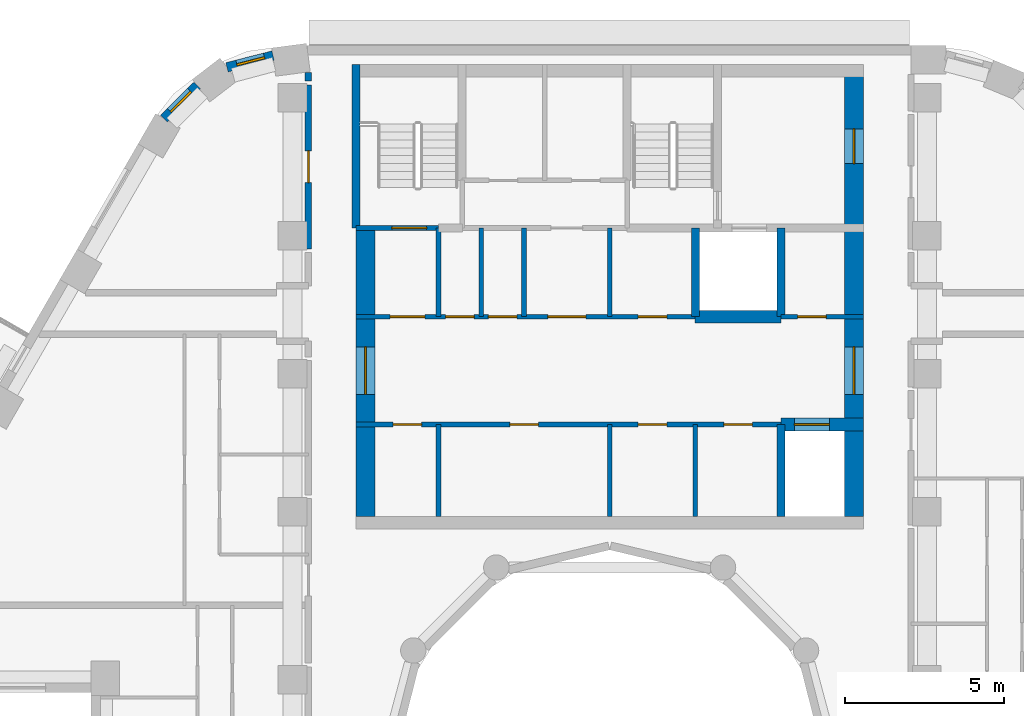
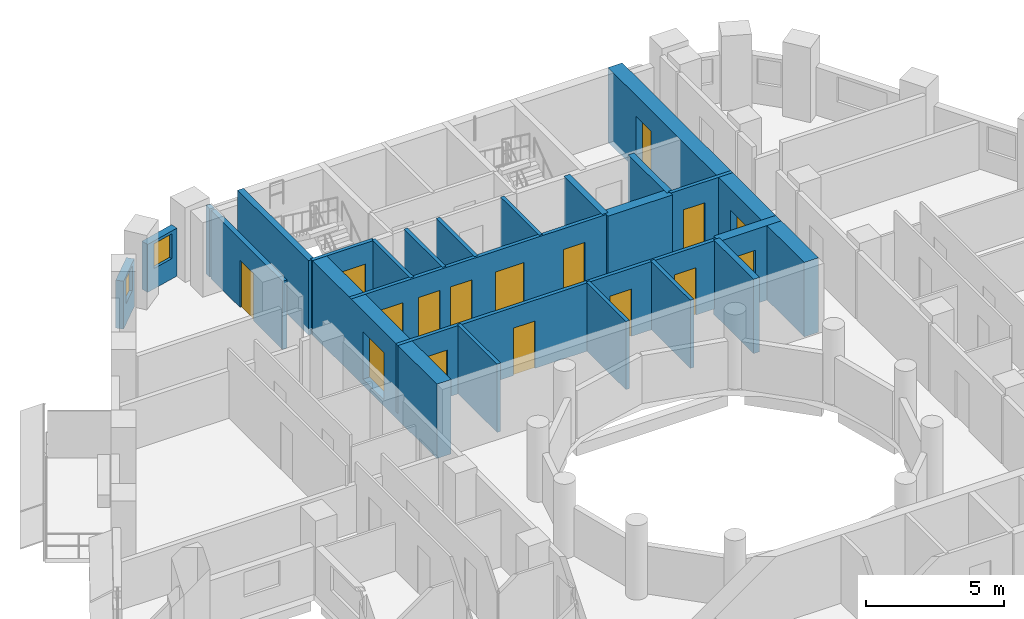
# One storey, part 7 of 13: 23 walls, 16 doors, 2 windows, 18 openings.
"""IFC4 building model written with IfcOpenShell, lengths in metres."""

from ifc_helpers import new_model, si_unit, direction, frame, frame_2d, origin, place, context, subcontext, project, spatial, rectangle, extrude, material, layer, layer_set, type_object, element, fill, save


model = new_model("IFC4")

# Units and contexts
model_context = context("Model", 3, precision=1e-05, world=origin(), true_north=direction((0.0, 1.0)))
body_context = subcontext(model_context, "Body", "Model", "MODEL_VIEW")
ifc_project = project(units=[si_unit("LENGTHUNIT", "METRE"), si_unit("AREAUNIT", "SQUARE_METRE"), si_unit("VOLUMEUNIT", "CUBIC_METRE"), si_unit("PLANEANGLEUNIT", "RADIAN"), si_unit("MASSUNIT", "GRAM", prefix="KILO")], contexts=[model_context])

# Site, building, storey
site_placement = place(None, origin())
site = spatial("IfcSite", under=ifc_project, at=site_placement, CompositionType="ELEMENT")
building_placement = place(site_placement, origin())
building = spatial("IfcBuilding", under=site, at=building_placement, Name="Nakaniwa Court", CompositionType="ELEMENT")
storey_placement = place(building_placement, frame((0.0, 0.0, 269.10009765625)))
storey = spatial("IfcBuildingStorey", under=building, at=storey_placement, Name="L71", CompositionType="ELEMENT", Elevation=269.10009765625)

# Wall, opening, door
ifc_material_1 = material(Name="Acoustic double stud partition")
ifc_layer_1 = layer(ifc_material_1, 0.199951171875)
ifc_layer_set_1 = layer_set([ifc_layer_1], Name="Acoustic double stud partition")
wall_type_1 = type_object("IfcWallType", Name="Acoustic double stud partition 200", PredefinedType="PARTITIONING", material=ifc_layer_set_1)
wall_1_placement = place(storey_placement, frame((70.5, 96.237060546875, 0.0), z_axis=(0.0, 0.0, 1.0), x_axis=(0.0, 1.0, 0.0)))
wall_1 = element("IfcWall", 1, at=wall_1_placement, inside=storey, type_object=wall_type_1, Name="Partition PW-094", PredefinedType="PARTITIONING", context=body_context, shape_type="SweptSolid", body=[
    extrude(rectangle(XDim=5.176025390625, YDim=0.199951171875, at=frame_2d((2.587890625, 0.0))), origin(), (0.0, 0.0, 1.0), 3.02490234375),
])
opening_1_placement = place(wall_1_placement, frame((2.087890625, 0.0, 0.0)))
opening_1 = element("IfcOpeningElement", 2, at=opening_1_placement, cuts=wall_1, Name="Opening D-02-06", PredefinedType="OPENING", context=body_context, shape_type="SweptSolid", body=[
    extrude(rectangle(XDim=1.0, YDim=2.10009765625, at=frame_2d((0.5, 1.050048828125))), frame((0.0, 0.10986328125, 0.0), z_axis=(0.0, -1.0, 0.0), x_axis=(1.0, 0.0, 0.0)), (0.0, 0.0, 1.0), 0.219970703125),
])
ifc_material_2 = material(Name="Solid core timber door set, black veneer", Category="wood")
door_type_1 = type_object("IfcDoorType", Name="Internal door 1000", OperationType="NOTDEFINED", PredefinedType="DOOR", material=ifc_material_2)
door_1_placement = place(opening_1_placement, origin())
door_1 = element("IfcDoor", 3, at=door_1_placement, inside=storey, type_object=door_type_1, Name="Door D-02-06 L71-058", OperationType="SINGLE_SWING_LEFT", OverallHeight=2.10009765625, OverallWidth=1.0, PredefinedType="DOOR", context=body_context, shape_type="SweptSolid", body=[
    extrude(rectangle(XDim=1.0, YDim=2.10009765625, at=frame_2d((0.5, 1.050048828125))), frame((0.0, 0.02490234375, 0.0), z_axis=(0.0, -1.0, 0.0), x_axis=(1.0, 0.0, 0.0)), (0.0, 0.0, 1.0), 0.050048828125),
])
fill(opening_1, door_1)

# Wall
wall_2_placement = place(storey_placement, frame((70.5, 101.527099609375, 0.0), z_axis=(0.0, 0.0, 1.0), x_axis=(0.0, 1.0, 0.0)))
element("IfcWall", 4, at=wall_2_placement, inside=storey, type_object=wall_type_1, Name="Partition PW-095", PredefinedType="PARTITIONING", context=body_context, shape_type="SweptSolid", body=[
    extrude(rectangle(XDim=0.273681640625, YDim=0.199951171875, at=frame_2d((0.13671875, 0.0))), origin(), (0.0, 0.0, 1.0), 3.02490234375),
])

# Wall, opening, window
ifc_material_3 = material(Name="Charcoal ceramic cladding")
ifc_layer_2 = layer(ifc_material_3, 0.02, Name="Ceramic cladding")
ifc_material_4 = material(Name="Ventilated air cavity")
ifc_layer_3 = layer(ifc_material_4, 0.04, ventilated=True, Name="Ventilated cavity")
ifc_material_5 = material(Name="Mineral wool insulation")
ifc_layer_4 = layer(ifc_material_5, 0.1, Name="Insulation")
ifc_material_6 = material(Name="Cement bonded sheathing board")
ifc_layer_5 = layer(ifc_material_6, 0.012, Name="Sheathing")
ifc_material_7 = material(Name="Cold-formed galvanised stud frame with mineral wool infill")
ifc_layer_6 = layer(ifc_material_7, 0.1, Name="Stud frame")
ifc_material_8 = material(Name="Fire-rated gypsum plasterboard lining")
ifc_layer_7 = layer(ifc_material_8, 0.028, Name="Lining")
ifc_layer_set_2 = layer_set([ifc_layer_2, ifc_layer_3, ifc_layer_4, ifc_layer_5, ifc_layer_6, ifc_layer_7], Name="Charcoal ceramic faced external wall system")
wall_type_2 = type_object("IfcWallType", Name="Black ceramic faced external wall 300", PredefinedType="SOLIDWALL", material=ifc_layer_set_2)
wall_3_placement = place(storey_placement, frame((69.386474609375, 102.333251953125, 0.0), z_axis=(0.0, 0.0, 1.0), x_axis=(-0.968895303033, -0.247470991757, 0.0)))
wall_3 = element("IfcWall", 5, at=wall_3_placement, inside=storey, type_object=wall_type_2, Name="L71 external wall 09", PredefinedType="SOLIDWALL", context=body_context, shape_type="SweptSolid", body=[
    extrude(rectangle(XDim=1.50048828125, YDim=0.300048828125, at=frame_2d((0.750244140625, 0.0))), origin(), (0.0, 0.0, 1.0), 2.125),
])
opening_2_placement = place(wall_3_placement, frame((0.27587890625, 0.0, 0.89990234375)))
opening_2 = element("IfcOpeningElement", 6, at=opening_2_placement, cuts=wall_3, Name="Opening W9.10", PredefinedType="OPENING", context=body_context, shape_type="SweptSolid", body=[
    extrude(rectangle(XDim=0.89990234375, YDim=1.10009765625, at=frame_2d((0.449951171875, 0.550048828125))), frame((0.0, 0.159912109375, 0.0), z_axis=(0.0, -1.0, 0.0), x_axis=(1.0, 0.0, 0.0)), (0.0, 0.0, 1.0), 0.320068359375),
])
ifc_material_9 = material(Name="Black anodised aluminium frame with dark low-E laminated double glazing", Category="aluminium")
window_type = type_object("IfcWindowType", Name="Dark glass window 900x1100 sill 900", PartitioningType="SINGLE_PANEL", PredefinedType="WINDOW", material=ifc_material_9)
window_1_placement = place(opening_2_placement, origin())
window_1 = element("IfcWindow", 7, at=window_1_placement, inside=storey, type_object=window_type, Name="L71 habitable room window 09-0", OverallHeight=1.10009765625, OverallWidth=0.89990234375, PartitioningType="SINGLE_PANEL", PredefinedType="WINDOW", context=body_context, shape_type="SweptSolid", body=[
    extrude(rectangle(XDim=0.89990234375, YDim=1.10009765625, at=frame_2d((0.449951171875, 0.550048828125))), frame((0.0, 0.030029296875, 0.0), z_axis=(0.0, -1.0, 0.0), x_axis=(1.0, 0.0, 0.0)), (0.0, 0.0, 1.0), 0.06005859375),
])
fill(opening_2, window_1)

wall_4_placement = place(storey_placement, frame((66.99560546875, 101.388427734375, 0.0), z_axis=(0.0, 0.0, 1.0), x_axis=(-0.708589353117, -0.705621094249, 0.0)))
wall_4 = element("IfcWall", 8, at=wall_4_placement, inside=storey, type_object=wall_type_2, Name="L71 external wall 10", PredefinedType="SOLIDWALL", context=body_context, shape_type="SweptSolid", body=[
    extrude(rectangle(XDim=1.48046875, YDim=0.300048828125, at=frame_2d((0.740234375, 0.0))), origin(), (0.0, 0.0, 1.0), 2.125),
])
opening_3_placement = place(wall_4_placement, frame((0.27978515625, 0.0, 0.89990234375)))
opening_3 = element("IfcOpeningElement", 9, at=opening_3_placement, cuts=wall_4, Name="Opening W9.11", PredefinedType="OPENING", context=body_context, shape_type="SweptSolid", body=[
    extrude(rectangle(XDim=0.89990234375, YDim=1.10009765625, at=frame_2d((0.449951171875, 0.550048828125))), frame((0.0, 0.159912109375, 0.0), z_axis=(0.0, -1.0, 0.0), x_axis=(1.0, 0.0, 0.0)), (0.0, 0.0, 1.0), 0.320068359375),
])
window_2_placement = place(opening_3_placement, origin())
window_2 = element("IfcWindow", 10, at=window_2_placement, inside=storey, type_object=window_type, Name="L71 habitable room window 10-0", OverallHeight=1.10009765625, OverallWidth=0.89990234375, PartitioningType="SINGLE_PANEL", PredefinedType="WINDOW", context=body_context, shape_type="SweptSolid", body=[
    extrude(rectangle(XDim=0.89990234375, YDim=1.10009765625, at=frame_2d((0.449951171875, 0.550048828125))), frame((0.0, 0.030029296875, 0.0), z_axis=(0.0, -1.0, 0.0), x_axis=(1.0, 0.0, 0.0)), (0.0, 0.0, 1.0), 0.06005859375),
])
fill(opening_3, window_2)

# Walls
ifc_material_10 = material(Name="Blockwork partition", Category="masonry")
ifc_layer_8 = layer(ifc_material_10, 0.14990234375)
ifc_layer_set_3 = layer_set([ifc_layer_8], Name="Blockwork partition")
wall_type_3 = type_object("IfcWallType", Name="Blockwork partition 150", PredefinedType="PARTITIONING", material=ifc_layer_set_3)
wall_5_placement = place(storey_placement, frame((74.60009765625, 87.800048828125, 0.0), z_axis=(0.0, 0.0, 1.0), x_axis=(0.0, 1.0, 0.0)))
element("IfcWall", 11, at=wall_5_placement, inside=storey, type_object=wall_type_3, Name="Partition PW-001", PredefinedType="PARTITIONING", context=body_context, shape_type="SweptSolid", body=[
    extrude(rectangle(XDim=2.89990234375, YDim=0.14990234375, at=frame_2d((1.449951171875, 0.0))), origin(), (0.0, 0.0, 1.0), 3.02490234375),
])
wall_6_placement = place(storey_placement, frame((74.60009765625, 94.10009765625, 0.0), z_axis=(0.0, 0.0, 1.0), x_axis=(0.0, 1.0, 0.0)))
element("IfcWall", 12, at=wall_6_placement, inside=storey, type_object=wall_type_3, Name="Partition PW-002", PredefinedType="PARTITIONING", context=body_context, shape_type="SweptSolid", body=[
    extrude(rectangle(XDim=2.7998046875, YDim=0.14990234375, at=frame_2d((1.39990234375, 0.0))), origin(), (0.0, 0.0, 1.0), 3.02490234375),
])

# Wall, openings, doors
wall_7_placement = place(storey_placement, frame((85.39990234375, 90.699951171875, 0.0), z_axis=(0.0, 0.0, 1.0), x_axis=(-1.0, 0.0, 0.0)))
wall_7 = element("IfcWall", 13, at=wall_7_placement, inside=storey, type_object=wall_type_3, Name="Partition PW-003", PredefinedType="PARTITIONING", context=body_context, shape_type="SweptSolid", body=[
    extrude(rectangle(XDim=13.39990234375, YDim=0.14990234375, at=frame_2d((6.699951171875, 0.0))), origin(), (0.0, 0.0, 1.0), 3.02490234375),
])
opening_4_placement = place(wall_7_placement, frame((11.324951171875, 0.0, 0.0)))
opening_4 = element("IfcOpeningElement", 14, at=opening_4_placement, cuts=wall_7, Name="Opening D-05-01", PredefinedType="OPENING", context=body_context, shape_type="SweptSolid", body=[
    extrude(rectangle(XDim=0.89990234375, YDim=2.10009765625, at=frame_2d((0.449951171875, 1.050048828125))), frame((0.0, 0.0849609375, 0.0), z_axis=(0.0, -1.0, 0.0), x_axis=(1.0, 0.0, 0.0)), (0.0, 0.0, 1.0), 0.169921875),
])
opening_5_placement = place(wall_7_placement, frame((7.64990234375, 0.0, 0.0)))
opening_5 = element("IfcOpeningElement", 15, at=opening_5_placement, cuts=wall_7, Name="Opening D-05-02", PredefinedType="OPENING", context=body_context, shape_type="SweptSolid", body=[
    extrude(rectangle(XDim=0.89990234375, YDim=2.10009765625, at=frame_2d((0.449951171875, 1.050048828125))), frame((0.0, 0.0849609375, 0.0), z_axis=(0.0, -1.0, 0.0), x_axis=(1.0, 0.0, 0.0)), (0.0, 0.0, 1.0), 0.169921875),
])
opening_6_placement = place(wall_7_placement, frame((3.60009765625, 0.0, 0.0)))
opening_6 = element("IfcOpeningElement", 16, at=opening_6_placement, cuts=wall_7, Name="Opening D-05-03", PredefinedType="OPENING", context=body_context, shape_type="SweptSolid", body=[
    extrude(rectangle(XDim=0.89990234375, YDim=2.10009765625, at=frame_2d((0.449951171875, 1.050048828125))), frame((0.0, 0.0849609375, 0.0), z_axis=(0.0, -1.0, 0.0), x_axis=(1.0, 0.0, 0.0)), (0.0, 0.0, 1.0), 0.169921875),
])
opening_7_placement = place(wall_7_placement, frame((0.89990234375, 0.0, 0.0)))
opening_7 = element("IfcOpeningElement", 17, at=opening_7_placement, cuts=wall_7, Name="Opening D-05-04", PredefinedType="OPENING", context=body_context, shape_type="SweptSolid", body=[
    extrude(rectangle(XDim=0.89990234375, YDim=2.10009765625, at=frame_2d((0.449951171875, 1.050048828125))), frame((0.0, 0.0849609375, 0.0), z_axis=(0.0, -1.0, 0.0), x_axis=(1.0, 0.0, 0.0)), (0.0, 0.0, 1.0), 0.169921875),
])
ifc_material_11 = material(Name="Fire rated steel door set", Category="steel")
door_type_2 = type_object("IfcDoorType", Name="Service room door 900", OperationType="NOTDEFINED", PredefinedType="DOOR", material=ifc_material_11)
door_2_placement = place(opening_4_placement, origin())
door_2 = element("IfcDoor", 18, at=door_2_placement, inside=storey, type_object=door_type_2, Name="Door D-05-01 L71-001", OperationType="SINGLE_SWING_RIGHT", OverallHeight=2.10009765625, OverallWidth=0.89990234375, PredefinedType="DOOR", context=body_context, shape_type="SweptSolid", body=[
    extrude(rectangle(XDim=0.89990234375, YDim=2.10009765625, at=frame_2d((0.449951171875, 1.050048828125))), frame((0.0, 0.02490234375, 0.0), z_axis=(0.0, -1.0, 0.0), x_axis=(1.0, 0.0, 0.0)), (0.0, 0.0, 1.0), 0.050048828125),
])
fill(opening_4, door_2)
door_3_placement = place(opening_5_placement, origin())
door_3 = element("IfcDoor", 19, at=door_3_placement, inside=storey, type_object=door_type_2, Name="Door D-05-02 L71-002", OperationType="SINGLE_SWING_LEFT", OverallHeight=2.10009765625, OverallWidth=0.89990234375, PredefinedType="DOOR", context=body_context, shape_type="SweptSolid", body=[
    extrude(rectangle(XDim=0.89990234375, YDim=2.10009765625, at=frame_2d((0.449951171875, 1.050048828125))), frame((0.0, 0.02490234375, 0.0), z_axis=(0.0, -1.0, 0.0), x_axis=(1.0, 0.0, 0.0)), (0.0, 0.0, 1.0), 0.050048828125),
])
fill(opening_5, door_3)
door_4_placement = place(opening_6_placement, origin())
door_4 = element("IfcDoor", 20, at=door_4_placement, inside=storey, type_object=door_type_2, Name="Door D-05-03 L71-003", OperationType="SINGLE_SWING_RIGHT", OverallHeight=2.10009765625, OverallWidth=0.89990234375, PredefinedType="DOOR", context=body_context, shape_type="SweptSolid", body=[
    extrude(rectangle(XDim=0.89990234375, YDim=2.10009765625, at=frame_2d((0.449951171875, 1.050048828125))), frame((0.0, 0.02490234375, 0.0), z_axis=(0.0, -1.0, 0.0), x_axis=(1.0, 0.0, 0.0)), (0.0, 0.0, 1.0), 0.050048828125),
])
fill(opening_6, door_4)
door_5_placement = place(opening_7_placement, origin())
door_5 = element("IfcDoor", 21, at=door_5_placement, inside=storey, type_object=door_type_2, Name="Door D-05-04 L71-004", OperationType="SINGLE_SWING_LEFT", OverallHeight=2.10009765625, OverallWidth=0.89990234375, PredefinedType="DOOR", context=body_context, shape_type="SweptSolid", body=[
    extrude(rectangle(XDim=0.89990234375, YDim=2.10009765625, at=frame_2d((0.449951171875, 1.050048828125))), frame((0.0, 0.02490234375, 0.0), z_axis=(0.0, -1.0, 0.0), x_axis=(1.0, 0.0, 0.0)), (0.0, 0.0, 1.0), 0.050048828125),
])
fill(opening_7, door_5)

# Walls
wall_8_placement = place(storey_placement, frame((80.0, 87.800048828125, 0.0), z_axis=(0.0, 0.0, 1.0), x_axis=(0.0, 1.0, 0.0)))
element("IfcWall", 22, at=wall_8_placement, inside=storey, type_object=wall_type_3, Name="Partition PW-009", PredefinedType="PARTITIONING", context=body_context, shape_type="SweptSolid", body=[
    extrude(rectangle(XDim=2.89990234375, YDim=0.14990234375, at=frame_2d((1.449951171875, 0.0))), origin(), (0.0, 0.0, 1.0), 3.02490234375),
])
wall_9_placement = place(storey_placement, frame((80.0, 94.10009765625, 0.0), z_axis=(0.0, 0.0, 1.0), x_axis=(0.0, 1.0, 0.0)))
element("IfcWall", 23, at=wall_9_placement, inside=storey, type_object=wall_type_3, Name="Partition PW-010", PredefinedType="PARTITIONING", context=body_context, shape_type="SweptSolid", body=[
    extrude(rectangle(XDim=2.7998046875, YDim=0.14990234375, at=frame_2d((1.39990234375, 0.0))), origin(), (0.0, 0.0, 1.0), 3.02490234375),
])
wall_10_placement = place(storey_placement, frame((82.699951171875, 87.800048828125, 0.0), z_axis=(0.0, 0.0, 1.0), x_axis=(0.0, 1.0, 0.0)))
element("IfcWall", 24, at=wall_10_placement, inside=storey, type_object=wall_type_3, Name="Partition PW-011", PredefinedType="PARTITIONING", context=body_context, shape_type="SweptSolid", body=[
    extrude(rectangle(XDim=2.89990234375, YDim=0.14990234375, at=frame_2d((1.449951171875, 0.0))), origin(), (0.0, 0.0, 1.0), 3.02490234375),
])

# Wall, openings, doors
wall_11_placement = place(storey_placement, frame((72.0, 94.10009765625, 0.0), z_axis=(0.0, 0.0, 1.0), x_axis=(1.0, 0.0, 0.0)))
wall_11 = element("IfcWall", 25, at=wall_11_placement, inside=storey, type_object=wall_type_3, Name="Partition PW-012", PredefinedType="PARTITIONING", context=body_context, shape_type="SweptSolid", body=[
    extrude(rectangle(XDim=10.702880859375, YDim=0.14990234375, at=frame_2d((5.3515625, 0.0))), origin(), (0.0, 0.0, 1.0), 3.02490234375),
])
opening_8_placement = place(wall_11_placement, frame((1.074951171875, 0.0, 0.0)))
opening_8 = element("IfcOpeningElement", 26, at=opening_8_placement, cuts=wall_11, Name="Opening D-08-01", PredefinedType="OPENING", context=body_context, shape_type="SweptSolid", body=[
    extrude(rectangle(XDim=1.10009765625, YDim=2.10009765625, at=frame_2d((0.550048828125, 1.050048828125))), frame((0.0, 0.0849609375, 0.0), z_axis=(0.0, -1.0, 0.0), x_axis=(1.0, 0.0, 0.0)), (0.0, 0.0, 1.0), 0.169921875),
])
opening_9_placement = place(wall_11_placement, frame((2.824951171875, 0.0, 0.0)))
opening_9 = element("IfcOpeningElement", 27, at=opening_9_placement, cuts=wall_11, Name="Opening D-05-05", PredefinedType="OPENING", context=body_context, shape_type="SweptSolid", body=[
    extrude(rectangle(XDim=0.89990234375, YDim=2.10009765625, at=frame_2d((0.449951171875, 1.050048828125))), frame((0.0, 0.0849609375, 0.0), z_axis=(0.0, -1.0, 0.0), x_axis=(1.0, 0.0, 0.0)), (0.0, 0.0, 1.0), 0.169921875),
])
opening_10_placement = place(wall_11_placement, frame((4.175048828125, 0.0, 0.0)))
opening_10 = element("IfcOpeningElement", 28, at=opening_10_placement, cuts=wall_11, Name="Opening D-05-06", PredefinedType="OPENING", context=body_context, shape_type="SweptSolid", body=[
    extrude(rectangle(XDim=0.89990234375, YDim=2.10009765625, at=frame_2d((0.449951171875, 1.050048828125))), frame((0.0, 0.0849609375, 0.0), z_axis=(0.0, -1.0, 0.0), x_axis=(1.0, 0.0, 0.0)), (0.0, 0.0, 1.0), 0.169921875),
])
opening_11_placement = place(wall_11_placement, frame((6.050048828125, 0.0, 0.0)))
opening_11 = element("IfcOpeningElement", 29, at=opening_11_placement, cuts=wall_11, Name="Opening D-06-01", PredefinedType="OPENING", context=body_context, shape_type="SweptSolid", body=[
    extrude(rectangle(XDim=1.199951171875, YDim=2.10009765625, at=frame_2d((0.60009765625, 1.050048828125))), frame((0.0, 0.0849609375, 0.0), z_axis=(0.0, -1.0, 0.0), x_axis=(1.0, 0.0, 0.0)), (0.0, 0.0, 1.0), 0.169921875),
])
opening_12_placement = place(wall_11_placement, frame((8.89990234375, 0.0, 0.0)))
opening_12 = element("IfcOpeningElement", 30, at=opening_12_placement, cuts=wall_11, Name="Opening D-05-07", PredefinedType="OPENING", context=body_context, shape_type="SweptSolid", body=[
    extrude(rectangle(XDim=0.89990234375, YDim=2.10009765625, at=frame_2d((0.449951171875, 1.050048828125))), frame((0.0, 0.0849609375, 0.0), z_axis=(0.0, -1.0, 0.0), x_axis=(1.0, 0.0, 0.0)), (0.0, 0.0, 1.0), 0.169921875),
])
ifc_material_12 = material(Name="Fire rated steel double door set", Category="steel")
door_type_3 = type_object("IfcDoorType", Name="Service passage double door 1200", OperationType="NOTDEFINED", PredefinedType="DOOR", material=ifc_material_12)
door_6_placement = place(opening_11_placement, origin())
door_6 = element("IfcDoor", 31, at=door_6_placement, inside=storey, type_object=door_type_3, Name="Door D-06-01 L71-008", OperationType="DOUBLE_DOOR_SINGLE_SWING", OverallHeight=2.10009765625, OverallWidth=1.199951171875, PredefinedType="DOOR", context=body_context, shape_type="SweptSolid", body=[
    extrude(rectangle(XDim=1.199951171875, YDim=2.10009765625, at=frame_2d((0.60009765625, 1.050048828125))), frame((0.0, 0.02490234375, 0.0), z_axis=(0.0, -1.0, 0.0), x_axis=(1.0, 0.0, 0.0)), (0.0, 0.0, 1.0), 0.050048828125),
])
fill(opening_11, door_6)
door_7_placement = place(opening_9_placement, origin())
door_7 = element("IfcDoor", 32, at=door_7_placement, inside=storey, type_object=door_type_2, Name="Door D-05-05 L71-006", OperationType="SINGLE_SWING_LEFT", OverallHeight=2.10009765625, OverallWidth=0.89990234375, PredefinedType="DOOR", context=body_context, shape_type="SweptSolid", body=[
    extrude(rectangle(XDim=0.89990234375, YDim=2.10009765625, at=frame_2d((0.449951171875, 1.050048828125))), frame((0.0, 0.02490234375, 0.0), z_axis=(0.0, -1.0, 0.0), x_axis=(1.0, 0.0, 0.0)), (0.0, 0.0, 1.0), 0.050048828125),
])
fill(opening_9, door_7)
door_8_placement = place(opening_10_placement, origin())
door_8 = element("IfcDoor", 33, at=door_8_placement, inside=storey, type_object=door_type_2, Name="Door D-05-06 L71-007", OperationType="SINGLE_SWING_RIGHT", OverallHeight=2.10009765625, OverallWidth=0.89990234375, PredefinedType="DOOR", context=body_context, shape_type="SweptSolid", body=[
    extrude(rectangle(XDim=0.89990234375, YDim=2.10009765625, at=frame_2d((0.449951171875, 1.050048828125))), frame((0.0, 0.02490234375, 0.0), z_axis=(0.0, -1.0, 0.0), x_axis=(1.0, 0.0, 0.0)), (0.0, 0.0, 1.0), 0.050048828125),
])
fill(opening_10, door_8)
door_9_placement = place(opening_12_placement, origin())
door_9 = element("IfcDoor", 34, at=door_9_placement, inside=storey, type_object=door_type_2, Name="Door D-05-07 L71-009", OperationType="SINGLE_SWING_RIGHT", OverallHeight=2.10009765625, OverallWidth=0.89990234375, PredefinedType="DOOR", context=body_context, shape_type="SweptSolid", body=[
    extrude(rectangle(XDim=0.89990234375, YDim=2.10009765625, at=frame_2d((0.449951171875, 1.050048828125))), frame((0.0, 0.02490234375, 0.0), z_axis=(0.0, -1.0, 0.0), x_axis=(1.0, 0.0, 0.0)), (0.0, 0.0, 1.0), 0.050048828125),
])
fill(opening_12, door_9)
door_type_4 = type_object("IfcDoorType", Name="Stair lobby door 1100", OperationType="NOTDEFINED", PredefinedType="DOOR", material=ifc_material_11)
door_10_placement = place(opening_8_placement, origin())
door_10 = element("IfcDoor", 35, at=door_10_placement, inside=storey, type_object=door_type_4, Name="Door D-08-01 L71-005", OperationType="SINGLE_SWING_RIGHT", OverallHeight=2.10009765625, OverallWidth=1.10009765625, PredefinedType="DOOR", context=body_context, shape_type="SweptSolid", body=[
    extrude(rectangle(XDim=1.10009765625, YDim=2.10009765625, at=frame_2d((0.550048828125, 1.050048828125))), frame((0.0, 0.02490234375, 0.0), z_axis=(0.0, -1.0, 0.0), x_axis=(1.0, 0.0, 0.0)), (0.0, 0.0, 1.0), 0.050048828125),
])
fill(opening_8, door_10)

# Wall, opening, door
wall_12_placement = place(storey_placement, frame((85.39697265625, 94.10009765625, 0.0), z_axis=(0.0, 0.0, 1.0), x_axis=(1.0, 0.0, 0.0)))
wall_12 = element("IfcWall", 36, at=wall_12_placement, inside=storey, type_object=wall_type_3, Name="Partition PW-013", PredefinedType="PARTITIONING", context=body_context, shape_type="SweptSolid", body=[
    extrude(rectangle(XDim=2.60302734375, YDim=0.14990234375, at=frame_2d((1.301513671875, 0.0))), origin(), (0.0, 0.0, 1.0), 3.02490234375),
])
opening_13_placement = place(wall_12_placement, frame((0.528076171875, 0.0, 0.0)))
opening_13 = element("IfcOpeningElement", 37, at=opening_13_placement, cuts=wall_12, Name="Opening D-05-08", PredefinedType="OPENING", context=body_context, shape_type="SweptSolid", body=[
    extrude(rectangle(XDim=0.89990234375, YDim=2.10009765625, at=frame_2d((0.449951171875, 1.050048828125))), frame((0.0, 0.0849609375, 0.0), z_axis=(0.0, -1.0, 0.0), x_axis=(1.0, 0.0, 0.0)), (0.0, 0.0, 1.0), 0.169921875),
])
door_11_placement = place(opening_13_placement, origin())
door_11 = element("IfcDoor", 38, at=door_11_placement, inside=storey, type_object=door_type_2, Name="Door D-05-08 L71-010", OperationType="SINGLE_SWING_LEFT", OverallHeight=2.10009765625, OverallWidth=0.89990234375, PredefinedType="DOOR", context=body_context, shape_type="SweptSolid", body=[
    extrude(rectangle(XDim=0.89990234375, YDim=2.10009765625, at=frame_2d((0.449951171875, 1.050048828125))), frame((0.0, 0.02490234375, 0.0), z_axis=(0.0, -1.0, 0.0), x_axis=(1.0, 0.0, 0.0)), (0.0, 0.0, 1.0), 0.050048828125),
])
fill(opening_13, door_11)

# Walls
for number, where, z_axis, x_axis, name in (
    (39, (75.949951171875, 94.10009765625, 0.0), (0.0, 0.0, 1.0), (0.0, 1.0, 0.0), "Partition PW-016"),
    (40, (77.300048828125, 94.10009765625, 0.0), (0.0, 0.0, 1.0), (0.0, 1.0, 0.0), "Partition PW-020"),
):
    element("IfcWall", number, at=place(storey_placement, frame(where, z_axis=z_axis, x_axis=x_axis)), inside=storey, type_object=wall_type_3, Name=name, PredefinedType="PARTITIONING", context=body_context, shape_type="SweptSolid", body=[
        extrude(rectangle(XDim=2.7998046875, YDim=0.14990234375, at=frame_2d((1.39990234375, 0.0))), origin(), (0.0, 0.0, 1.0), 3.02490234375),
    ])

# Wall, opening, door
ifc_material_13 = material(Name="Concrete C80/100", Category="concrete")
ifc_layer_9 = layer(ifc_material_13, 0.60009765625)
ifc_layer_set_4 = layer_set([ifc_layer_9], Name="Concrete C80/100")
wall_type_4 = type_object("IfcWallType", Name="Concrete core side wall 600 C80", PredefinedType="SHEAR", material=ifc_layer_set_4)
wall_13_placement = place(storey_placement, frame((72.300048828125, 87.800048828125, -0.275146484375), z_axis=(0.0, 0.0, 1.0), x_axis=(0.0, 1.0, 0.0)))
wall_13 = element("IfcWall", 41, at=wall_13_placement, inside=storey, type_object=wall_type_4, Name="Core wall SW-04", PredefinedType="SHEAR", context=body_context, shape_type="SweptSolid", body=[
    extrude(rectangle(XDim=9.099853515625, YDim=0.60009765625, at=frame_2d((4.5498046875, 0.0))), origin(), (0.0, 0.0, 1.0), 3.300048828125),
])
opening_14_placement = place(wall_13_placement, frame((3.85009765625, 0.0, 0.27490234375)))
opening_14 = element("IfcOpeningElement", 42, at=opening_14_placement, cuts=wall_13, Name="Opening D-07-02", PredefinedType="OPENING", context=body_context, shape_type="SweptSolid", body=[
    extrude(rectangle(XDim=1.5, YDim=2.10009765625, at=frame_2d((0.75, 1.050048828125))), frame((0.0, 0.31005859375, 0.0), z_axis=(0.0, -1.0, 0.0), x_axis=(1.0, 0.0, 0.0)), (0.0, 0.0, 1.0), 0.6201171875),
])
ifc_material_14 = material(Name="Glazed fire rated steel double door set", Category="steel")
door_type_5 = type_object("IfcDoorType", Name="Lobby double door 1500", OperationType="NOTDEFINED", PredefinedType="DOOR", material=ifc_material_14)
door_12_placement = place(opening_14_placement, origin())
door_12 = element("IfcDoor", 43, at=door_12_placement, inside=storey, type_object=door_type_5, Name="Door D-07-02 L71-060", OperationType="DOUBLE_DOOR_SINGLE_SWING", OverallHeight=2.10009765625, OverallWidth=1.5, PredefinedType="DOOR", context=body_context, shape_type="SweptSolid", body=[
    extrude(rectangle(XDim=1.5, YDim=2.10009765625, at=frame_2d((0.75, 1.050048828125))), frame((0.0, 0.02490234375, 0.0), z_axis=(0.0, -1.0, 0.0), x_axis=(1.0, 0.0, 0.0)), (0.0, 0.0, 1.0), 0.050048828125),
])
fill(opening_14, door_12)

# Wall, openings, doors
wall_14_placement = place(storey_placement, frame((87.699951171875, 102.050048828125, -0.275146484375), z_axis=(0.0, 0.0, 1.0), x_axis=(0.0, -1.0, 0.0)))
wall_14 = element("IfcWall", 44, at=wall_14_placement, inside=storey, type_object=wall_type_4, Name="Core wall SW-08", PredefinedType="SHEAR", context=body_context, shape_type="SweptSolid", body=[
    extrude(rectangle(XDim=14.25, YDim=0.60009765625, at=frame_2d((7.125, 0.0))), origin(), (0.0, 0.0, 1.0), 3.300048828125),
])
opening_15_placement = place(wall_14_placement, frame((8.89990234375, 0.0, 0.27490234375)))
opening_15 = element("IfcOpeningElement", 45, at=opening_15_placement, cuts=wall_14, Name="Opening D-07-01", PredefinedType="OPENING", context=body_context, shape_type="SweptSolid", body=[
    extrude(rectangle(XDim=1.5, YDim=2.10009765625, at=frame_2d((0.75, 1.050048828125))), frame((0.0, 0.31005859375, 0.0), z_axis=(0.0, -1.0, 0.0), x_axis=(1.0, 0.0, 0.0)), (0.0, 0.0, 1.0), 0.6201171875),
])
opening_16_placement = place(wall_14_placement, frame((2.02490234375, 0.0, 0.27490234375)))
opening_16 = element("IfcOpeningElement", 46, at=opening_16_placement, cuts=wall_14, Name="Opening D-10-01", PredefinedType="OPENING", context=body_context, shape_type="SweptSolid", body=[
    extrude(rectangle(XDim=1.10009765625, YDim=2.10009765625, at=frame_2d((0.550048828125, 1.050048828125))), frame((0.0, 0.31005859375, 0.0), z_axis=(0.0, -1.0, 0.0), x_axis=(1.0, 0.0, 0.0)), (0.0, 0.0, 1.0), 0.6201171875),
])
door_type_6 = type_object("IfcDoorType", Name="Firefighting lobby door 1100", OperationType="NOTDEFINED", PredefinedType="DOOR", material=ifc_material_11)
door_13_placement = place(opening_16_placement, origin())
door_13 = element("IfcDoor", 47, at=door_13_placement, inside=storey, type_object=door_type_6, Name="Door D-10-01 L71-061", OperationType="SINGLE_SWING_RIGHT", OverallHeight=2.10009765625, OverallWidth=1.10009765625, PredefinedType="DOOR", context=body_context, shape_type="SweptSolid", body=[
    extrude(rectangle(XDim=1.10009765625, YDim=2.10009765625, at=frame_2d((0.550048828125, 1.050048828125))), frame((0.0, 0.02490234375, 0.0), z_axis=(0.0, -1.0, 0.0), x_axis=(1.0, 0.0, 0.0)), (0.0, 0.0, 1.0), 0.050048828125),
])
fill(opening_16, door_13)
door_14_placement = place(opening_15_placement, origin())
door_14 = element("IfcDoor", 48, at=door_14_placement, inside=storey, type_object=door_type_5, Name="Door D-07-01 L71-059", OperationType="DOUBLE_DOOR_SINGLE_SWING", OverallHeight=2.10009765625, OverallWidth=1.5, PredefinedType="DOOR", context=body_context, shape_type="SweptSolid", body=[
    extrude(rectangle(XDim=1.5, YDim=2.10009765625, at=frame_2d((0.75, 1.050048828125))), frame((0.0, 0.02490234375, 0.0), z_axis=(0.0, -1.0, 0.0), x_axis=(1.0, 0.0, 0.0)), (0.0, 0.0, 1.0), 0.050048828125),
])
fill(opening_15, door_14)

# Wall, opening, door
ifc_layer_10 = layer(ifc_material_13, 0.39990234375)
ifc_layer_set_5 = layer_set([ifc_layer_10], Name="Concrete C80/100")
wall_type_5 = type_object("IfcWallType", Name="Concrete core spine wall 400 C80", PredefinedType="SHEAR", material=ifc_layer_set_5)
wall_15_placement = place(storey_placement, frame((85.39990234375, 90.699951171875, -0.275146484375), z_axis=(0.0, 0.0, 1.0), x_axis=(1.0, 0.0, 0.0)))
wall_15 = element("IfcWall", 49, at=wall_15_placement, inside=storey, type_object=wall_type_5, Name="Core wall SW-07", PredefinedType="SHEAR", context=body_context, shape_type="SweptSolid", body=[
    extrude(rectangle(XDim=2.60009765625, YDim=0.39990234375, at=frame_2d((1.300048828125, 0.0))), origin(), (0.0, 0.0, 1.0), 3.300048828125),
])
opening_17_placement = place(wall_15_placement, frame((0.425048828125, 0.0, 0.27490234375)))
opening_17 = element("IfcOpeningElement", 50, at=opening_17_placement, cuts=wall_15, Name="Opening LD01", PredefinedType="OPENING", context=body_context, shape_type="SweptSolid", body=[
    extrude(rectangle(XDim=1.10009765625, YDim=2.10009765625, at=frame_2d((0.550048828125, 1.050048828125))), frame((0.0, 0.2099609375, 0.0), z_axis=(0.0, -1.0, 0.0), x_axis=(1.0, 0.0, 0.0)), (0.0, 0.0, 1.0), 0.419921875),
])
ifc_material_15 = material(Name="Stainless steel sliding lift landing door", Category="steel")
door_type_7 = type_object("IfcDoorType", Name="Lift landing door 1100", OperationType="NOTDEFINED", PredefinedType="DOOR", material=ifc_material_15)
door_15_placement = place(opening_17_placement, origin())
door_15 = element("IfcDoor", 51, at=door_15_placement, inside=storey, type_object=door_type_7, Name="Lift landing door LD01 L71-001", OperationType="SLIDING_TO_LEFT", OverallHeight=2.10009765625, OverallWidth=1.10009765625, PredefinedType="DOOR", context=body_context, shape_type="SweptSolid", body=[
    extrude(rectangle(XDim=1.10009765625, YDim=2.10009765625, at=frame_2d((0.550048828125, 1.050048828125))), frame((0.0, 0.02490234375, 0.0), z_axis=(0.0, -1.0, 0.0), x_axis=(1.0, 0.0, 0.0)), (0.0, 0.0, 1.0), 0.050048828125),
])
fill(opening_17, door_15)

# Wall
wall_16_placement = place(storey_placement, frame((82.697021484375, 94.10009765625, -0.275146484375), z_axis=(0.0, 0.0, 1.0), x_axis=(1.0, 0.0, 0.0)))
element("IfcWall", 52, at=wall_16_placement, inside=storey, type_object=wall_type_5, Name="Core wall SW-14", PredefinedType="SHEAR", context=body_context, shape_type="SweptSolid", body=[
    extrude(rectangle(XDim=2.7060546875, YDim=0.39990234375, at=frame_2d((1.35302734375, 0.0))), origin(), (0.0, 0.0, 1.0), 3.300048828125),
])

# Wall, opening, door
ifc_layer_11 = layer(ifc_material_13, 0.14990234375)
ifc_layer_set_6 = layer_set([ifc_layer_11], Name="Concrete C80/100")
wall_type_6 = type_object("IfcWallType", Name="Concrete core wall 150 C80", PredefinedType="SHEAR", material=ifc_layer_set_6)
wall_17_placement = place(storey_placement, frame((74.60009765625, 96.89990234375, -0.275146484375), z_axis=(0.0, 0.0, 1.0), x_axis=(-1.0, 0.0, 0.0)))
wall_17 = element("IfcWall", 53, at=wall_17_placement, inside=storey, type_object=wall_type_6, Name="Core wall SW-15", PredefinedType="SHEAR", context=body_context, shape_type="SweptSolid", body=[
    extrude(rectangle(XDim=2.60009765625, YDim=0.14990234375, at=frame_2d((1.300048828125, 0.0))), origin(), (0.0, 0.0, 1.0), 3.300048828125),
])
opening_18_placement = place(wall_17_placement, frame((0.3701171875, 0.0, 0.27490234375)))
opening_18 = element("IfcOpeningElement", 54, at=opening_18_placement, cuts=wall_17, Name="Opening D-09-01", PredefinedType="OPENING", context=body_context, shape_type="SweptSolid", body=[
    extrude(rectangle(XDim=1.10009765625, YDim=2.10009765625, at=frame_2d((0.550048828125, 1.050048828125))), frame((0.0, 0.0849609375, 0.0), z_axis=(0.0, -1.0, 0.0), x_axis=(1.0, 0.0, 0.0)), (0.0, 0.0, 1.0), 0.169921875),
])
door_type_8 = type_object("IfcDoorType", Name="Stair door 1100", OperationType="NOTDEFINED", PredefinedType="DOOR", material=ifc_material_11)
door_16_placement = place(opening_18_placement, origin())
door_16 = element("IfcDoor", 55, at=door_16_placement, inside=storey, type_object=door_type_8, Name="Door D-09-01 L71-014", OperationType="SINGLE_SWING_RIGHT", OverallHeight=2.10009765625, OverallWidth=1.10009765625, PredefinedType="DOOR", context=body_context, shape_type="SweptSolid", body=[
    extrude(rectangle(XDim=1.10009765625, YDim=2.10009765625, at=frame_2d((0.550048828125, 1.050048828125))), frame((0.0, 0.02490234375, 0.0), z_axis=(0.0, -1.0, 0.0), x_axis=(1.0, 0.0, 0.0)), (0.0, 0.0, 1.0), 0.050048828125),
])
fill(opening_18, door_16)

# Walls
ifc_layer_12 = layer(ifc_material_13, 0.25)
ifc_layer_set_7 = layer_set([ifc_layer_12], Name="Concrete C80/100")
wall_type_7 = type_object("IfcWallType", Name="Concrete core wall 250 C80", PredefinedType="SHEAR", material=ifc_layer_set_7)
wall_18_placement = place(storey_placement, frame((72.0, 96.89990234375, -0.275146484375), z_axis=(0.0, 0.0, 1.0), x_axis=(0.0, 1.0, 0.0)))
element("IfcWall", 56, at=wall_18_placement, inside=storey, type_object=wall_type_7, Name="Core wall SW-24", PredefinedType="SHEAR", context=body_context, shape_type="SweptSolid", body=[
    extrude(rectangle(XDim=5.150146484375, YDim=0.25, at=frame_2d((2.5751953125, 0.0))), origin(), (0.0, 0.0, 1.0), 3.300048828125),
])
ifc_layer_13 = layer(ifc_material_13, 0.25)
ifc_layer_set_8 = layer_set([ifc_layer_13], Name="Concrete C80/100")
wall_type_8 = type_object("IfcWallType", Name="Concrete shaft wall 250 C80", PredefinedType="SHEAR", material=ifc_layer_set_8)
wall_19_placement = place(storey_placement, frame((85.39990234375, 87.800048828125, -0.275146484375), z_axis=(0.0, 0.0, 1.0), x_axis=(0.0, 1.0, 0.0)))
element("IfcWall", 57, at=wall_19_placement, inside=storey, type_object=wall_type_8, Name="Core wall SW-05", PredefinedType="SHEAR", context=body_context, shape_type="SweptSolid", body=[
    extrude(rectangle(XDim=2.89990234375, YDim=0.25, at=frame_2d((1.449951171875, 0.0))), origin(), (0.0, 0.0, 1.0), 3.300048828125),
])
for number, where, z_axis, x_axis, name in (
    (58, (85.39990234375, 94.10009765625, -0.275146484375), (0.0, 0.0, 1.0), (0.0, 1.0, 0.0), "Core wall SW-06"),
    (59, (82.699951171875, 94.10009765625, -0.275146484375), (0.0, 0.0, 1.0), (0.0, 1.0, 0.0), "Core wall SW-21"),
):
    element("IfcWall", number, at=place(storey_placement, frame(where, z_axis=z_axis, x_axis=x_axis)), inside=storey, type_object=wall_type_8, Name=name, PredefinedType="SHEAR", context=body_context, shape_type="SweptSolid", body=[
        extrude(rectangle(XDim=2.7998046875, YDim=0.25, at=frame_2d((1.39990234375, 0.0))), origin(), (0.0, 0.0, 1.0), 3.300048828125),
    ])

save(model, "model.ifc")
